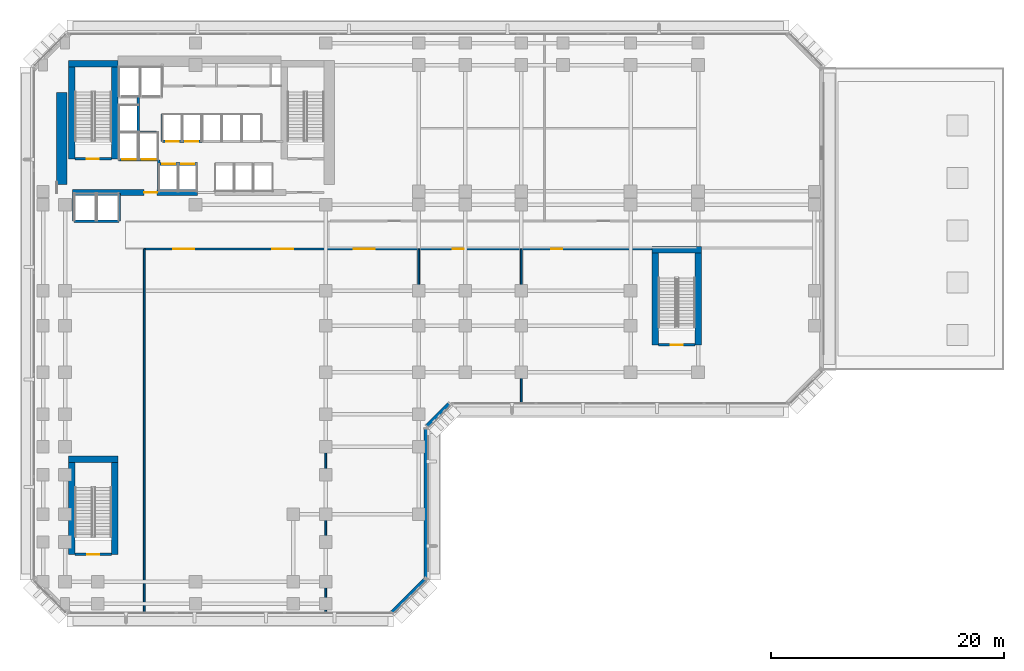
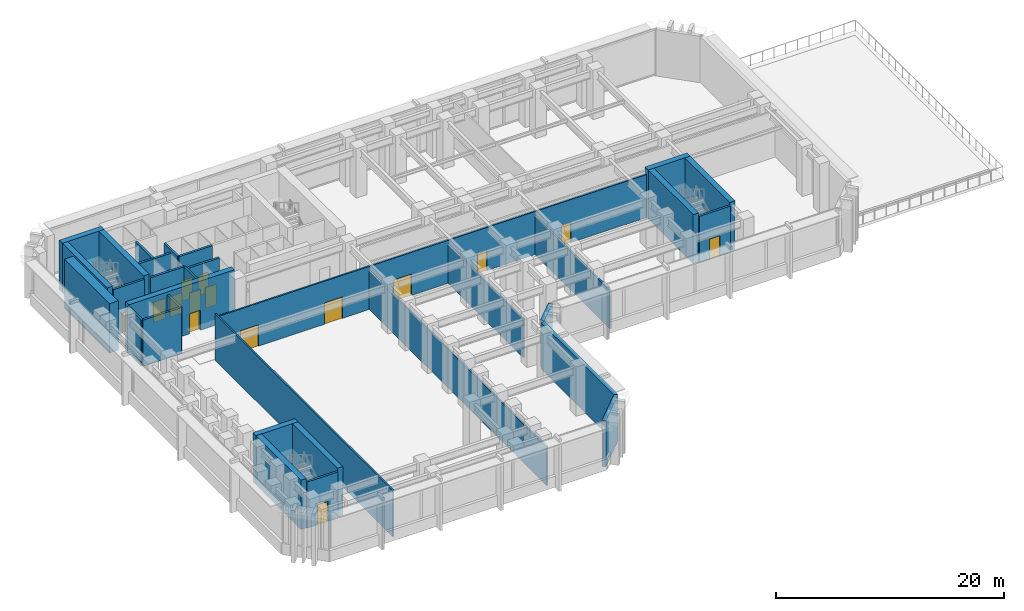
# One storey, part 7 of 16: 32 walls, 15 doors, 15 openings.
"""IFC4 building model written with IfcOpenShell, lengths in metres."""

from ifc_helpers import new_model, si_unit, direction, frame, frame_2d, origin, place, context, subcontext, project, spatial, rectangle, extrude, material, layer, layer_set, type_object, element, fill, save


model = new_model("IFC4")

# Units and contexts
model_context = context("Model", 3, precision=1e-05, world=origin(), true_north=direction((0.0, 1.0)))
body_context = subcontext(model_context, "Body", "Model", "MODEL_VIEW")
ifc_project = project(units=[si_unit("LENGTHUNIT", "METRE"), si_unit("AREAUNIT", "SQUARE_METRE"), si_unit("VOLUMEUNIT", "CUBIC_METRE"), si_unit("PLANEANGLEUNIT", "RADIAN"), si_unit("MASSUNIT", "GRAM", prefix="KILO")], contexts=[model_context])

# Site, building, storey
site_placement = place(None, origin())
site = spatial("IfcSite", under=ifc_project, at=site_placement, CompositionType="ELEMENT")
building_placement = place(site_placement, origin())
building = spatial("IfcBuilding", under=site, at=building_placement, Name="Kefirva Bronze Tower", CompositionType="ELEMENT")
storey_placement = place(building_placement, frame((0.0, 0.0, 11.219970703125)))
storey = spatial("IfcBuildingStorey", under=building, at=storey_placement, Name="L02", CompositionType="ELEMENT", Elevation=11.219970703125)

# Wall, opening, door
ifc_material_1 = material(Name="Gypsum fireboard shaftwall")
ifc_layer_1 = layer(ifc_material_1, 0.219970703125, Name="Gypsum fireboard shaftwall")
ifc_layer_set_1 = layer_set([ifc_layer_1], Name="Gypsum fireboard shaftwall")
wall_type_1 = type_object("IfcWallType", Name="Fire-Rated Shaft Enclosure Wall 220mm", PredefinedType="PARTITIONING", material=ifc_layer_set_1)
wall_1_placement = place(storey_placement, frame((1.64990234375, 37.14990234375, 0.0), z_axis=(0.0, 0.0, 1.0), x_axis=(1.0, 0.0, 0.0)))
wall_1 = element("IfcWall", 1, at=wall_1_placement, inside=storey, type_object=wall_type_1, Name="L02 Partition W-L02-ST1S", PredefinedType="PARTITIONING", context=body_context, shape_type="SweptSolid", body=[
    extrude(rectangle(XDim=3.150146484375, YDim=0.219970703125, at=frame_2d((1.5751953125, 0.0))), origin(), (0.0, 0.0, 1.0), 4.9599609375),
])
opening_1_placement = place(wall_1_placement, frame((2.050048828125, 0.0, 0.0), z_axis=(0.0, 0.0, 1.0), x_axis=(-1.0, 0.0, 0.0)))
opening_1 = element("IfcOpeningElement", 2, at=opening_1_placement, cuts=wall_1, Name="Opening L02-D001", PredefinedType="OPENING", context=body_context, shape_type="SweptSolid", body=[
    extrude(rectangle(XDim=1.050048828125, YDim=2.14990234375, at=frame_2d((0.52490234375, 1.074951171875))), frame((0.0, 0.1201171875, 0.0), z_axis=(0.0, -1.0, 0.0), x_axis=(1.0, 0.0, 0.0)), (0.0, 0.0, 1.0), 0.239990234375),
])
ifc_material_2 = material(Name="Painted galvanized steel", Category="steel")
door_type_1 = type_object("IfcDoorType", Name="Fire Stair Enclosure Door 1050x2150 FD90S", OperationType="NOTDEFINED", PredefinedType="DOOR", material=ifc_material_2)
door_1_placement = place(opening_1_placement, origin())
door_1 = element("IfcDoor", 3, at=door_1_placement, inside=storey, type_object=door_type_1, Name="Door L02-D001", OperationType="SINGLE_SWING_RIGHT", OverallHeight=2.14990234375, OverallWidth=1.050048828125, PredefinedType="DOOR", context=body_context, shape_type="SweptSolid", body=[
    extrude(rectangle(XDim=1.050048828125, YDim=2.14990234375, at=frame_2d((0.52490234375, 1.074951171875))), frame((0.0, 0.02490234375, 0.0), z_axis=(0.0, -1.0, 0.0), x_axis=(1.0, 0.0, 0.0)), (0.0, 0.0, 1.0), 0.050048828125),
])
fill(opening_1, door_1)

# Wall, openings, doors
wall_2_placement = place(storey_placement, frame((5.3798828125, 37.080078125, 0.0), z_axis=(0.0, 0.0, 1.0), x_axis=(1.0, 0.0, 0.0)))
wall_2 = element("IfcWall", 4, at=wall_2_placement, inside=storey, type_object=wall_type_1, Name="L02 Partition W-L02-FFS", PredefinedType="PARTITIONING", context=body_context, shape_type="SweptSolid", body=[
    extrude(rectangle(XDim=3.460205078125, YDim=0.219970703125, at=frame_2d((1.72998046875, 0.0))), origin(), (0.0, 0.0, 1.0), 4.9599609375),
])
opening_2_placement = place(wall_2_placement, frame((1.550048828125, 0.0, 0.0), z_axis=(0.0, 0.0, 1.0), x_axis=(-1.0, 0.0, 0.0)))
opening_2 = element("IfcOpeningElement", 5, at=opening_2_placement, cuts=wall_2, Name="Opening L02-LD-FF1", PredefinedType="OPENING", context=body_context, shape_type="SweptSolid", body=[
    extrude(rectangle(XDim=1.199951171875, YDim=2.199951171875, at=frame_2d((0.60009765625, 1.10009765625))), frame((0.0, 0.1201171875, 0.0), z_axis=(0.0, -1.0, 0.0), x_axis=(1.0, 0.0, 0.0)), (0.0, 0.0, 1.0), 0.239990234375),
])
opening_3_placement = place(wall_2_placement, frame((3.219970703125, 0.0, 0.0), z_axis=(0.0, 0.0, 1.0), x_axis=(-1.0, 0.0, 0.0)))
opening_3 = element("IfcOpeningElement", 6, at=opening_3_placement, cuts=wall_2, Name="Opening L02-LD-FF2", PredefinedType="OPENING", context=body_context, shape_type="SweptSolid", body=[
    extrude(rectangle(XDim=1.199951171875, YDim=2.199951171875, at=frame_2d((0.60009765625, 1.10009765625))), frame((0.0, 0.1201171875, 0.0), z_axis=(0.0, -1.0, 0.0), x_axis=(1.0, 0.0, 0.0)), (0.0, 0.0, 1.0), 0.239990234375),
])
ifc_material_3 = material(Name="Stainless steel 316", Category="steel")
door_type_2 = type_object("IfcDoorType", Name="Firefighting Lift Sliding Door 1200x2200", OperationType="SLIDING_TO_RIGHT", PredefinedType="DOOR", material=ifc_material_3)
door_2_placement = place(opening_2_placement, origin())
door_2 = element("IfcDoor", 7, at=door_2_placement, inside=storey, type_object=door_type_2, Name="Door L02-LD-FF1", OperationType="SLIDING_TO_RIGHT", OverallHeight=2.199951171875, OverallWidth=1.199951171875, PredefinedType="DOOR", context=body_context, shape_type="SweptSolid", body=[
    extrude(rectangle(XDim=1.199951171875, YDim=2.199951171875, at=frame_2d((0.60009765625, 1.10009765625))), frame((0.0, 0.02490234375, 0.0), z_axis=(0.0, -1.0, 0.0), x_axis=(1.0, 0.0, 0.0)), (0.0, 0.0, 1.0), 0.050048828125),
])
fill(opening_2, door_2)
door_3_placement = place(opening_3_placement, origin())
door_3 = element("IfcDoor", 8, at=door_3_placement, inside=storey, type_object=door_type_2, Name="Door L02-LD-FF2", OperationType="SLIDING_TO_RIGHT", OverallHeight=2.199951171875, OverallWidth=1.199951171875, PredefinedType="DOOR", context=body_context, shape_type="SweptSolid", body=[
    extrude(rectangle(XDim=1.199951171875, YDim=2.199951171875, at=frame_2d((0.60009765625, 1.10009765625))), frame((0.0, 0.02490234375, 0.0), z_axis=(0.0, -1.0, 0.0), x_axis=(1.0, 0.0, 0.0)), (0.0, 0.0, 1.0), 0.050048828125),
])
fill(opening_3, door_3)

# Walls
wall_3_placement = place(storey_placement, frame((5.3798828125, 39.449951171875, 0.0), z_axis=(0.0, 0.0, 1.0), x_axis=(1.0, 0.0, 0.0)))
element("IfcWall", 9, at=wall_3_placement, inside=storey, type_object=wall_type_1, Name="L02 Partition W-L02-FFN", PredefinedType="PARTITIONING", context=body_context, shape_type="SweptSolid", body=[
    extrude(rectangle(XDim=3.460205078125, YDim=0.219970703125, at=frame_2d((1.72998046875, 0.0))), origin(), (0.0, 0.0, 1.0), 4.9599609375),
])
wall_4_placement = place(storey_placement, frame((7.10009765625, 39.52001953125, 0.0), z_axis=(0.0, 0.0, 1.0), x_axis=(0.0, 1.0, 0.0)))
element("IfcWall", 10, at=wall_4_placement, inside=storey, type_object=wall_type_1, Name="L02 Partition W-L02-HP3E", PredefinedType="PARTITIONING", context=body_context, shape_type="SweptSolid", body=[
    extrude(rectangle(XDim=2.929931640625, YDim=0.219970703125, at=frame_2d((1.46484375, 0.0))), origin(), (0.0, 0.0, 1.0), 4.9599609375),
])
wall_5_placement = place(storey_placement, frame((1.550048828125, 31.800048828125, 0.0), z_axis=(0.0, 0.0, 1.0), x_axis=(1.0, 0.0, 0.0)))
element("IfcWall", 11, at=wall_5_placement, inside=storey, type_object=wall_type_1, Name="L02 Partition W-L02-OBS", PredefinedType="PARTITIONING", context=body_context, shape_type="SweptSolid", body=[
    extrude(rectangle(XDim=3.89990234375, YDim=0.219970703125, at=frame_2d((1.949951171875, 0.0))), origin(), (0.0, 0.0, 1.0), 4.9599609375),
])
for number, where, z_axis, x_axis, name in (
    (12, (1.550048828125, 31.800048828125, 0.0), (0.0, 0.0, 1.0), (0.0, 1.0, 0.0), "L02 Partition W-L02-OBW"),
    (13, (5.449951171875, 31.800048828125, 0.0), (0.0, 0.0, 1.0), (0.0, 1.0, 0.0), "L02 Partition W-L02-OBE"),
):
    element("IfcWall", number, at=place(storey_placement, frame(where, z_axis=z_axis, x_axis=x_axis)), inside=storey, type_object=wall_type_1, Name=name, PredefinedType="PARTITIONING", context=body_context, shape_type="SweptSolid", body=[
        extrude(rectangle(XDim=2.3798828125, YDim=0.219970703125, at=frame_2d((1.18994140625, 0.0))), origin(), (0.0, 0.0, 1.0), 4.9599609375),
    ])
wall_6_placement = place(storey_placement, frame((9.159912109375, 38.64990234375, 0.0), z_axis=(0.0, 0.0, 1.0), x_axis=(0.0, 1.0, 0.0)))
element("IfcWall", 14, at=wall_6_placement, inside=storey, type_object=wall_type_1, Name="L02 Partition W-L02-LP3W", PredefinedType="PARTITIONING", context=body_context, shape_type="SweptSolid", body=[
    extrude(rectangle(XDim=2.35009765625, YDim=0.199951171875, at=frame_2d((1.175048828125, 0.0))), origin(), (0.0, 0.0, 1.0), 4.9599609375),
])

# Wall, openings, doors
wall_7_placement = place(storey_placement, frame((8.89990234375, 36.699951171875, 0.0), z_axis=(0.0, 0.0, 1.0), x_axis=(1.0, 0.0, 0.0)))
wall_7 = element("IfcWall", 15, at=wall_7_placement, inside=storey, type_object=wall_type_1, Name="L02 Partition W-L02-LPS", PredefinedType="PARTITIONING", context=body_context, shape_type="SweptSolid", body=[
    extrude(rectangle(XDim=3.260009765625, YDim=0.219970703125, at=frame_2d((1.6298828125, 0.0))), origin(), (0.0, 0.0, 1.0), 4.9599609375),
])
opening_4_placement = place(wall_7_placement, frame((0.260009765625, 0.0, 0.0)))
opening_4 = element("IfcOpeningElement", 16, at=opening_4_placement, cuts=wall_7, Name="Opening L02-LD-LP1", PredefinedType="OPENING", context=body_context, shape_type="SweptSolid", body=[
    extrude(rectangle(XDim=1.10009765625, YDim=2.199951171875, at=frame_2d((0.550048828125, 1.10009765625))), frame((0.0, 0.1201171875, 0.0), z_axis=(0.0, -1.0, 0.0), x_axis=(1.0, 0.0, 0.0)), (0.0, 0.0, 1.0), 0.239990234375),
])
opening_5_placement = place(wall_7_placement, frame((1.8798828125, 0.0, 0.0)))
opening_5 = element("IfcOpeningElement", 17, at=opening_5_placement, cuts=wall_7, Name="Opening L02-LD-LP2", PredefinedType="OPENING", context=body_context, shape_type="SweptSolid", body=[
    extrude(rectangle(XDim=1.10009765625, YDim=2.199951171875, at=frame_2d((0.550048828125, 1.10009765625))), frame((0.0, 0.1201171875, 0.0), z_axis=(0.0, -1.0, 0.0), x_axis=(1.0, 0.0, 0.0)), (0.0, 0.0, 1.0), 0.239990234375),
])
door_type_3 = type_object("IfcDoorType", Name="Passenger Lift Sliding Landing Door 1100x2200", OperationType="SLIDING_TO_LEFT", PredefinedType="DOOR", material=ifc_material_3)
door_4_placement = place(opening_4_placement, origin())
door_4 = element("IfcDoor", 18, at=door_4_placement, inside=storey, type_object=door_type_3, Name="Door L02-LD-LP1", OperationType="SLIDING_TO_LEFT", OverallHeight=2.199951171875, OverallWidth=1.10009765625, PredefinedType="DOOR", context=body_context, shape_type="SweptSolid", body=[
    extrude(rectangle(XDim=1.10009765625, YDim=2.199951171875, at=frame_2d((0.550048828125, 1.10009765625))), frame((0.0, 0.02490234375, 0.0), z_axis=(0.0, -1.0, 0.0), x_axis=(1.0, 0.0, 0.0)), (0.0, 0.0, 1.0), 0.050048828125),
])
fill(opening_4, door_4)
door_5_placement = place(opening_5_placement, origin())
door_5 = element("IfcDoor", 19, at=door_5_placement, inside=storey, type_object=door_type_3, Name="Door L02-LD-LP2", OperationType="SLIDING_TO_LEFT", OverallHeight=2.199951171875, OverallWidth=1.10009765625, PredefinedType="DOOR", context=body_context, shape_type="SweptSolid", body=[
    extrude(rectangle(XDim=1.10009765625, YDim=2.199951171875, at=frame_2d((0.550048828125, 1.10009765625))), frame((0.0, 0.02490234375, 0.0), z_axis=(0.0, -1.0, 0.0), x_axis=(1.0, 0.0, 0.0)), (0.0, 0.0, 1.0), 0.050048828125),
])
fill(opening_5, door_5)

wall_8_placement = place(storey_placement, frame((9.179931640625, 38.64990234375, 0.0), z_axis=(0.0, 0.0, 1.0), x_axis=(1.0, 0.0, 0.0)))
wall_8 = element("IfcWall", 20, at=wall_8_placement, inside=storey, type_object=wall_type_1, Name="L02 Partition W-L02-LPN", PredefinedType="PARTITIONING", context=body_context, shape_type="SweptSolid", body=[
    extrude(rectangle(XDim=3.380126953125, YDim=0.219970703125, at=frame_2d((1.68994140625, 0.0))), origin(), (0.0, 0.0, 1.0), 4.9599609375),
])
opening_6_placement = place(wall_8_placement, frame((0.300048828125, 0.0, 0.0)))
opening_6 = element("IfcOpeningElement", 21, at=opening_6_placement, cuts=wall_8, Name="Opening L02-LD-LP3", PredefinedType="OPENING", context=body_context, shape_type="SweptSolid", body=[
    extrude(rectangle(XDim=1.10009765625, YDim=2.199951171875, at=frame_2d((0.550048828125, 1.10009765625))), frame((0.0, 0.1201171875, 0.0), z_axis=(0.0, -1.0, 0.0), x_axis=(1.0, 0.0, 0.0)), (0.0, 0.0, 1.0), 0.239990234375),
])
opening_7_placement = place(wall_8_placement, frame((1.949951171875, 0.0, 0.0)))
opening_7 = element("IfcOpeningElement", 22, at=opening_7_placement, cuts=wall_8, Name="Opening L02-LD-LP4", PredefinedType="OPENING", context=body_context, shape_type="SweptSolid", body=[
    extrude(rectangle(XDim=1.10009765625, YDim=2.199951171875, at=frame_2d((0.550048828125, 1.10009765625))), frame((0.0, 0.1201171875, 0.0), z_axis=(0.0, -1.0, 0.0), x_axis=(1.0, 0.0, 0.0)), (0.0, 0.0, 1.0), 0.239990234375),
])
door_6_placement = place(opening_6_placement, origin())
door_6 = element("IfcDoor", 23, at=door_6_placement, inside=storey, type_object=door_type_3, Name="Door L02-LD-LP3", OperationType="SLIDING_TO_LEFT", OverallHeight=2.199951171875, OverallWidth=1.10009765625, PredefinedType="DOOR", context=body_context, shape_type="SweptSolid", body=[
    extrude(rectangle(XDim=1.10009765625, YDim=2.199951171875, at=frame_2d((0.550048828125, 1.10009765625))), frame((0.0, 0.02490234375, 0.0), z_axis=(0.0, -1.0, 0.0), x_axis=(1.0, 0.0, 0.0)), (0.0, 0.0, 1.0), 0.050048828125),
])
fill(opening_6, door_6)
door_7_placement = place(opening_7_placement, origin())
door_7 = element("IfcDoor", 24, at=door_7_placement, inside=storey, type_object=door_type_3, Name="Door L02-LD-LP4", OperationType="SLIDING_TO_LEFT", OverallHeight=2.199951171875, OverallWidth=1.10009765625, PredefinedType="DOOR", context=body_context, shape_type="SweptSolid", body=[
    extrude(rectangle(XDim=1.10009765625, YDim=2.199951171875, at=frame_2d((0.550048828125, 1.10009765625))), frame((0.0, 0.02490234375, 0.0), z_axis=(0.0, -1.0, 0.0), x_axis=(1.0, 0.0, 0.0)), (0.0, 0.0, 1.0), 0.050048828125),
])
fill(opening_7, door_7)

# Wall, opening, door
wall_9_placement = place(storey_placement, frame((1.64990234375, 3.14990234375, 0.0), z_axis=(0.0, 0.0, 1.0), x_axis=(1.0, 0.0, 0.0)))
wall_9 = element("IfcWall", 25, at=wall_9_placement, inside=storey, type_object=wall_type_1, Name="L02 Partition W-L02-ST3S", PredefinedType="PARTITIONING", context=body_context, shape_type="SweptSolid", body=[
    extrude(rectangle(XDim=3.150146484375, YDim=0.219970703125, at=frame_2d((1.5751953125, 0.0))), origin(), (0.0, 0.0, 1.0), 4.9599609375),
])
opening_8_placement = place(wall_9_placement, frame((2.10009765625, 0.0, 0.0), z_axis=(0.0, 0.0, 1.0), x_axis=(-1.0, 0.0, 0.0)))
opening_8 = element("IfcOpeningElement", 26, at=opening_8_placement, cuts=wall_9, Name="Opening L02-D-ST3", PredefinedType="OPENING", context=body_context, shape_type="SweptSolid", body=[
    extrude(rectangle(XDim=1.050048828125, YDim=2.14990234375, at=frame_2d((0.52490234375, 1.074951171875))), frame((0.0, 0.1201171875, 0.0), z_axis=(0.0, -1.0, 0.0), x_axis=(1.0, 0.0, 0.0)), (0.0, 0.0, 1.0), 0.239990234375),
])
door_8_placement = place(opening_8_placement, origin())
door_8 = element("IfcDoor", 27, at=door_8_placement, inside=storey, type_object=door_type_1, Name="Door L02-D-ST3", OperationType="SINGLE_SWING_LEFT", OverallHeight=2.14990234375, OverallWidth=1.050048828125, PredefinedType="DOOR", context=body_context, shape_type="SweptSolid", body=[
    extrude(rectangle(XDim=1.050048828125, YDim=2.14990234375, at=frame_2d((0.52490234375, 1.074951171875))), frame((0.0, 0.02490234375, 0.0), z_axis=(0.0, -1.0, 0.0), x_axis=(1.0, 0.0, 0.0)), (0.0, 0.0, 1.0), 0.050048828125),
])
fill(opening_8, door_8)

wall_10_placement = place(storey_placement, frame((51.800048828125, 21.14990234375, 0.0), z_axis=(0.0, 0.0, 1.0), x_axis=(1.0, 0.0, 0.0)))
wall_10 = element("IfcWall", 28, at=wall_10_placement, inside=storey, type_object=wall_type_1, Name="L02 Partition W-L02-ST4S", PredefinedType="PARTITIONING", context=body_context, shape_type="SweptSolid", body=[
    extrude(rectangle(XDim=3.14990234375, YDim=0.219970703125, at=frame_2d((1.574951171875, 0.0))), origin(), (0.0, 0.0, 1.0), 4.9599609375),
])
opening_9_placement = place(wall_10_placement, frame((2.10009765625, 0.0, 0.0), z_axis=(0.0, 0.0, 1.0), x_axis=(-1.0, 0.0, 0.0)))
opening_9 = element("IfcOpeningElement", 29, at=opening_9_placement, cuts=wall_10, Name="Opening L02-D-ST4", PredefinedType="OPENING", context=body_context, shape_type="SweptSolid", body=[
    extrude(rectangle(XDim=1.050048828125, YDim=2.14990234375, at=frame_2d((0.52490234375, 1.074951171875))), frame((0.0, 0.1201171875, 0.0), z_axis=(0.0, -1.0, 0.0), x_axis=(1.0, 0.0, 0.0)), (0.0, 0.0, 1.0), 0.239990234375),
])
door_9_placement = place(opening_9_placement, origin())
door_9 = element("IfcDoor", 30, at=door_9_placement, inside=storey, type_object=door_type_1, Name="Door L02-D-ST4", OperationType="SINGLE_SWING_RIGHT", OverallHeight=2.14990234375, OverallWidth=1.050048828125, PredefinedType="DOOR", context=body_context, shape_type="SweptSolid", body=[
    extrude(rectangle(XDim=1.050048828125, YDim=2.14990234375, at=frame_2d((0.52490234375, 1.074951171875))), frame((0.0, 0.02490234375, 0.0), z_axis=(0.0, -1.0, 0.0), x_axis=(1.0, 0.0, 0.0)), (0.0, 0.0, 1.0), 0.050048828125),
])
fill(opening_9, door_9)

# Walls
ifc_material_4 = material(Name="Gypsum fireboard barrier")
ifc_layer_2 = layer(ifc_material_4, 0.199951171875, Name="Gypsum fireboard barrier")
ifc_layer_set_2 = layer_set([ifc_layer_2], Name="Gypsum fireboard barrier")
wall_type_2 = type_object("IfcWallType", Name="Firefighting Lobby Barrier Wall 200mm", PredefinedType="PARTITIONING", material=ifc_layer_set_2)
wall_11_placement = place(storey_placement, frame((8.860107421875, 34.550048828125, 0.0), z_axis=(0.0, 0.0, 1.0), x_axis=(0.0, 1.0, 0.0)))
element("IfcWall", 31, at=wall_11_placement, inside=storey, type_object=wall_type_2, Name="L02 Partition W-L02-FFLE", PredefinedType="PARTITIONING", context=body_context, shape_type="SweptSolid", body=[
    extrude(rectangle(XDim=2.5, YDim=0.199951171875, at=frame_2d((1.25, 0.0))), origin(), (0.0, 0.0, 1.0), 4.9599609375),
])
ifc_material_5 = material(Name="Precast concrete C40/50", Category="concrete")
ifc_layer_3 = layer(ifc_material_5, 0.360107421875, Name="Precast concrete C40/50")
ifc_layer_set_3 = layer_set([ifc_layer_3], Name="Precast concrete C40/50")
wall_type_3 = type_object("IfcWallType", Name="Precast Podium Facade Wall 360mm", PredefinedType="SOLIDWALL", material=ifc_layer_set_3)
wall_12_placement = place(storey_placement, frame((28.91162109375, -1.833740234375, 0.0), z_axis=(0.0, 0.0, 1.0), x_axis=(0.707106781187, 0.707106781187, 0.0)))
element("IfcWall", 32, at=wall_12_placement, inside=storey, type_object=wall_type_3, Name="L02 Exterior Facade Wall 1", PredefinedType="SOLIDWALL", context=body_context, shape_type="SweptSolid", body=[
    extrude(rectangle(XDim=4.132568359375, YDim=0.360107421875, at=frame_2d((2.06640625, 0.0))), origin(), (0.0, 0.0, 1.0), 4.9599609375),
])
wall_13_placement = place(storey_placement, frame((31.820068359375, 1.054931640625, 0.0), z_axis=(0.0, 0.0, 1.0), x_axis=(0.0, 1.0, 0.0)))
element("IfcWall", 33, at=wall_13_placement, inside=storey, type_object=wall_type_3, Name="L02 Exterior Facade Wall 2", PredefinedType="SOLIDWALL", context=body_context, shape_type="SweptSolid", body=[
    extrude(rectangle(XDim=12.89013671875, YDim=0.360107421875, at=frame_2d((6.445068359375, 0.0))), origin(), (0.0, 0.0, 1.0), 4.9599609375),
])
wall_14_placement = place(storey_placement, frame((31.91162109375, 14.166259765625, 0.0), z_axis=(0.0, 0.0, 1.0), x_axis=(0.707106781187, 0.707106781187, 0.0)))
element("IfcWall", 34, at=wall_14_placement, inside=storey, type_object=wall_type_3, Name="L02 Exterior Facade Wall 3", PredefinedType="SOLIDWALL", context=body_context, shape_type="SweptSolid", body=[
    extrude(rectangle(XDim=2.71826171875, YDim=0.360107421875, at=frame_2d((1.359130859375, 0.0))), origin(), (0.0, 0.0, 1.0), 4.9599609375),
])
ifc_material_6 = material(Name="Gypsum acoustic partition")
ifc_layer_4 = layer(ifc_material_6, 0.159912109375, Name="Gypsum acoustic partition")
ifc_layer_set_4 = layer_set([ifc_layer_4], Name="Gypsum acoustic partition")
wall_type_4 = type_object("IfcWallType", Name="Protected Corridor Partition 160mm", PredefinedType="PARTITIONING", material=ifc_layer_set_4)
wall_15_placement = place(storey_placement, frame((7.60009765625, -1.81005859375, 0.0), z_axis=(0.0, 0.0, 1.0), x_axis=(0.0, 1.0, 0.0)))
element("IfcWall", 35, at=wall_15_placement, inside=storey, type_object=wall_type_4, Name="L02 Partition W-L02-SWCE", PredefinedType="PARTITIONING", context=body_context, shape_type="SweptSolid", body=[
    extrude(rectangle(XDim=31.2099609375, YDim=0.159912109375, at=frame_2d((15.60498046875, 0.0))), origin(), (0.0, 0.0, 1.0), 4.9599609375),
])

# Wall, openings, doors
wall_16_placement = place(storey_placement, frame((7.60009765625, 29.39990234375, 0.0), z_axis=(0.0, 0.0, 1.0), x_axis=(1.0, 0.0, 0.0)))
wall_16 = element("IfcWall", 36, at=wall_16_placement, inside=storey, type_object=wall_type_4, Name="L02 Partition W-L02-AUDN", PredefinedType="PARTITIONING", context=body_context, shape_type="SweptSolid", body=[
    extrude(rectangle(XDim=43.75, YDim=0.159912109375, at=frame_2d((21.875, 0.0))), origin(), (0.0, 0.0, 1.0), 4.614990234375),
])
opening_10_placement = place(wall_16_placement, frame((2.5, 0.0, 0.0)))
opening_10 = element("IfcOpeningElement", 37, at=opening_10_placement, cuts=wall_16, Name="Opening L02-D-AUD1", PredefinedType="OPENING", context=body_context, shape_type="SweptSolid", body=[
    extrude(rectangle(XDim=1.800048828125, YDim=2.300048828125, at=frame_2d((0.89990234375, 1.14990234375))), frame((0.0, 0.08984375, 0.0), z_axis=(0.0, -1.0, 0.0), x_axis=(1.0, 0.0, 0.0)), (0.0, 0.0, 1.0), 0.179931640625),
])
opening_11_placement = place(wall_16_placement, frame((11.0, 0.0, 0.0)))
opening_11 = element("IfcOpeningElement", 38, at=opening_11_placement, cuts=wall_16, Name="Opening L02-D-AUD2", PredefinedType="OPENING", context=body_context, shape_type="SweptSolid", body=[
    extrude(rectangle(XDim=1.800048828125, YDim=2.300048828125, at=frame_2d((0.89990234375, 1.14990234375))), frame((0.0, 0.08984375, 0.0), z_axis=(0.0, -1.0, 0.0), x_axis=(1.0, 0.0, 0.0)), (0.0, 0.0, 1.0), 0.179931640625),
])
opening_12_placement = place(wall_16_placement, frame((18.0, 0.0, 0.0)))
opening_12 = element("IfcOpeningElement", 39, at=opening_12_placement, cuts=wall_16, Name="Opening L02-D-FOY", PredefinedType="OPENING", context=body_context, shape_type="SweptSolid", body=[
    extrude(rectangle(XDim=1.800048828125, YDim=2.300048828125, at=frame_2d((0.89990234375, 1.14990234375))), frame((0.0, 0.08984375, 0.0), z_axis=(0.0, -1.0, 0.0), x_axis=(1.0, 0.0, 0.0)), (0.0, 0.0, 1.0), 0.179931640625),
])
opening_13_placement = place(wall_16_placement, frame((26.5, 0.0, 0.0)))
opening_13 = element("IfcOpeningElement", 40, at=opening_13_placement, cuts=wall_16, Name="Opening L02-D-EVOP", PredefinedType="OPENING", context=body_context, shape_type="SweptSolid", body=[
    extrude(rectangle(XDim=0.949951171875, YDim=2.14990234375, at=frame_2d((0.47509765625, 1.074951171875))), frame((0.0, 0.08984375, 0.0), z_axis=(0.0, -1.0, 0.0), x_axis=(1.0, 0.0, 0.0)), (0.0, 0.0, 1.0), 0.179931640625),
])
opening_14_placement = place(wall_16_placement, frame((35.0, 0.0, 0.0)))
opening_14 = element("IfcOpeningElement", 41, at=opening_14_placement, cuts=wall_16, Name="Opening L02-D-EVST", PredefinedType="OPENING", context=body_context, shape_type="SweptSolid", body=[
    extrude(rectangle(XDim=0.949951171875, YDim=2.14990234375, at=frame_2d((0.47509765625, 1.074951171875))), frame((0.0, 0.08984375, 0.0), z_axis=(0.0, -1.0, 0.0), x_axis=(1.0, 0.0, 0.0)), (0.0, 0.0, 1.0), 0.179931640625),
])
ifc_material_7 = material(Name="Acoustic hardwood oak", Category="wood")
door_type_4 = type_object("IfcDoorType", Name="Auditorium & Dining Double Door 1800x2300", OperationType="DOUBLE_DOOR_SINGLE_SWING", PredefinedType="DOOR", material=ifc_material_7)
door_10_placement = place(opening_10_placement, origin())
door_10 = element("IfcDoor", 42, at=door_10_placement, inside=storey, type_object=door_type_4, Name="Door L02-D-AUD1", OperationType="SINGLE_SWING_LEFT", OverallHeight=2.300048828125, OverallWidth=1.800048828125, PredefinedType="DOOR", context=body_context, shape_type="SweptSolid", body=[
    extrude(rectangle(XDim=1.800048828125, YDim=2.300048828125, at=frame_2d((0.89990234375, 1.14990234375))), frame((0.0, 0.02490234375, 0.0), z_axis=(0.0, -1.0, 0.0), x_axis=(1.0, 0.0, 0.0)), (0.0, 0.0, 1.0), 0.050048828125),
])
fill(opening_10, door_10)
door_11_placement = place(opening_11_placement, origin())
door_11 = element("IfcDoor", 43, at=door_11_placement, inside=storey, type_object=door_type_4, Name="Door L02-D-AUD2", OperationType="SINGLE_SWING_RIGHT", OverallHeight=2.300048828125, OverallWidth=1.800048828125, PredefinedType="DOOR", context=body_context, shape_type="SweptSolid", body=[
    extrude(rectangle(XDim=1.800048828125, YDim=2.300048828125, at=frame_2d((0.89990234375, 1.14990234375))), frame((0.0, 0.02490234375, 0.0), z_axis=(0.0, -1.0, 0.0), x_axis=(1.0, 0.0, 0.0)), (0.0, 0.0, 1.0), 0.050048828125),
])
fill(opening_11, door_11)
door_12_placement = place(opening_12_placement, origin())
door_12 = element("IfcDoor", 44, at=door_12_placement, inside=storey, type_object=door_type_4, Name="Door L02-D-FOY", OperationType="SINGLE_SWING_LEFT", OverallHeight=2.300048828125, OverallWidth=1.800048828125, PredefinedType="DOOR", context=body_context, shape_type="SweptSolid", body=[
    extrude(rectangle(XDim=1.800048828125, YDim=2.300048828125, at=frame_2d((0.89990234375, 1.14990234375))), frame((0.0, 0.02490234375, 0.0), z_axis=(0.0, -1.0, 0.0), x_axis=(1.0, 0.0, 0.0)), (0.0, 0.0, 1.0), 0.050048828125),
])
fill(opening_12, door_12)
door_type_5 = type_object("IfcDoorType", Name="Office & Meeting Room Door 950x2150", OperationType="NOTDEFINED", PredefinedType="DOOR", material=ifc_material_7)
door_13_placement = place(opening_13_placement, origin())
door_13 = element("IfcDoor", 45, at=door_13_placement, inside=storey, type_object=door_type_5, Name="Door L02-D-EVOP", OperationType="SINGLE_SWING_RIGHT", OverallHeight=2.14990234375, OverallWidth=0.949951171875, PredefinedType="DOOR", context=body_context, shape_type="SweptSolid", body=[
    extrude(rectangle(XDim=0.949951171875, YDim=2.14990234375, at=frame_2d((0.47509765625, 1.074951171875))), frame((0.0, 0.02490234375, 0.0), z_axis=(0.0, -1.0, 0.0), x_axis=(1.0, 0.0, 0.0)), (0.0, 0.0, 1.0), 0.050048828125),
])
fill(opening_13, door_13)
door_14_placement = place(opening_14_placement, origin())
door_14 = element("IfcDoor", 46, at=door_14_placement, inside=storey, type_object=door_type_5, Name="Door L02-D-EVST", OperationType="SINGLE_SWING_LEFT", OverallHeight=2.14990234375, OverallWidth=0.949951171875, PredefinedType="DOOR", context=body_context, shape_type="SweptSolid", body=[
    extrude(rectangle(XDim=0.949951171875, YDim=2.14990234375, at=frame_2d((0.47509765625, 1.074951171875))), frame((0.0, 0.02490234375, 0.0), z_axis=(0.0, -1.0, 0.0), x_axis=(1.0, 0.0, 0.0)), (0.0, 0.0, 1.0), 0.050048828125),
])
fill(opening_14, door_14)

# Walls
wall_17_placement = place(storey_placement, frame((23.199951171875, -1.81005859375, 0.0), z_axis=(0.0, 0.0, 1.0), x_axis=(0.0, 1.0, 0.0)))
element("IfcWall", 47, at=wall_17_placement, inside=storey, type_object=wall_type_4, Name="L02 Partition W-L02-AUDE", PredefinedType="PARTITIONING", context=body_context, shape_type="SweptSolid", body=[
    extrude(rectangle(XDim=31.2099609375, YDim=0.159912109375, at=frame_2d((15.60498046875, 0.0))), origin(), (0.0, 0.0, 1.0), 4.14501953125),
])
for number, where, z_axis, x_axis, name in (
    (48, (31.199951171875, 16.18994140625, 0.0), (0.0, 0.0, 1.0), (0.0, 1.0, 0.0), "L02 Partition W-L02-FOYE"),
    (49, (40.0, 16.18994140625, 0.0), (0.0, 0.0, 1.0), (0.0, 1.0, 0.0), "L02 Partition W-L02-EVOE"),
):
    element("IfcWall", number, at=place(storey_placement, frame(where, z_axis=z_axis, x_axis=x_axis)), inside=storey, type_object=wall_type_4, Name=name, PredefinedType="PARTITIONING", context=body_context, shape_type="SweptSolid", body=[
        extrude(rectangle(XDim=13.2099609375, YDim=0.159912109375, at=frame_2d((6.60498046875, 0.0))), origin(), (0.0, 0.0, 1.0), 4.14501953125),
    ])
ifc_material_8 = material(Name="Concrete C50/60", Category="concrete")
ifc_layer_5 = layer(ifc_material_8, 0.550048828125, Name="Concrete C50/60")
ifc_layer_set_5 = layer_set([ifc_layer_5], Name="Concrete C50/60")
wall_type_5 = type_object("IfcWallType", Name="RC Rear Core Interior Wall 550mm", PredefinedType="SHEAR", material=ifc_layer_set_5)
for number, where, z_axis, x_axis, name in (
    (50, (1.3701171875, 37.14990234375, 0.0), (0.0, 0.0, 1.0), (0.0, 1.0, 0.0), "L02 Stair 1 West Shear Wall"),
    (51, (5.070068359375, 37.14990234375, 0.0), (0.0, 0.0, 1.0), (0.0, 1.0, 0.0), "L02 Stair 1 East Shear Wall"),
):
    element("IfcWall", number, at=place(storey_placement, frame(where, z_axis=z_axis, x_axis=x_axis)), inside=storey, type_object=wall_type_5, Name=name, PredefinedType="SHEAR", context=body_context, shape_type="SweptSolid", body=[
        extrude(rectangle(XDim=7.89013671875, YDim=0.550048828125, at=frame_2d((3.945068359375, 0.0))), origin(), (0.0, 0.0, 1.0), 5.280029296875),
    ])
wall_18_placement = place(storey_placement, frame((1.10009765625, 45.320068359375, 0.0), z_axis=(0.0, 0.0, 1.0), x_axis=(1.0, 0.0, 0.0)))
element("IfcWall", 52, at=wall_18_placement, inside=storey, type_object=wall_type_5, Name="L02 Stair 1 North Shear Wall", PredefinedType="SHEAR", context=body_context, shape_type="SweptSolid", body=[
    extrude(rectangle(XDim=4.239990234375, YDim=0.550048828125, at=frame_2d((2.1201171875, 0.0))), origin(), (0.0, 0.0, 1.0), 5.280029296875),
])
for number, where, z_axis, x_axis, name in (
    (53, (1.3701171875, 3.14990234375, 0.0), (0.0, 0.0, 1.0), (0.0, 1.0, 0.0), "L02 Stair 3 West Shear Wall"),
    (54, (5.070068359375, 3.14990234375, 0.0), (0.0, 0.0, 1.0), (0.0, 1.0, 0.0), "L02 Stair 3 East Shear Wall"),
):
    element("IfcWall", number, at=place(storey_placement, frame(where, z_axis=z_axis, x_axis=x_axis)), inside=storey, type_object=wall_type_5, Name=name, PredefinedType="SHEAR", context=body_context, shape_type="SweptSolid", body=[
        extrude(rectangle(XDim=7.89013671875, YDim=0.550048828125, at=frame_2d((3.945068359375, 0.0))), origin(), (0.0, 0.0, 1.0), 5.280029296875),
    ])
wall_19_placement = place(storey_placement, frame((1.10009765625, 11.320068359375, 0.0), z_axis=(0.0, 0.0, 1.0), x_axis=(1.0, 0.0, 0.0)))
element("IfcWall", 55, at=wall_19_placement, inside=storey, type_object=wall_type_5, Name="L02 Stair 3 North Shear Wall", PredefinedType="SHEAR", context=body_context, shape_type="SweptSolid", body=[
    extrude(rectangle(XDim=4.239990234375, YDim=0.550048828125, at=frame_2d((2.1201171875, 0.0))), origin(), (0.0, 0.0, 1.0), 5.280029296875),
])
for number, where, z_axis, x_axis, name in (
    (56, (51.52001953125, 21.14990234375, 0.0), (0.0, 0.0, 1.0), (0.0, 1.0, 0.0), "L02 Stair 4 West Shear Wall"),
    (57, (55.219970703125, 21.14990234375, 0.0), (0.0, 0.0, 1.0), (0.0, 1.0, 0.0), "L02 Stair 4 East Shear Wall"),
):
    element("IfcWall", number, at=place(storey_placement, frame(where, z_axis=z_axis, x_axis=x_axis)), inside=storey, type_object=wall_type_5, Name=name, PredefinedType="SHEAR", context=body_context, shape_type="SweptSolid", body=[
        extrude(rectangle(XDim=7.89013671875, YDim=0.550048828125, at=frame_2d((3.945068359375, 0.0))), origin(), (0.0, 0.0, 1.0), 5.280029296875),
    ])
wall_20_placement = place(storey_placement, frame((51.25, 29.320068359375, 0.0), z_axis=(0.0, 0.0, 1.0), x_axis=(1.0, 0.0, 0.0)))
element("IfcWall", 58, at=wall_20_placement, inside=storey, type_object=wall_type_5, Name="L02 Stair 4 North Shear Wall", PredefinedType="SHEAR", context=body_context, shape_type="SweptSolid", body=[
    extrude(rectangle(XDim=4.239990234375, YDim=0.550048828125, at=frame_2d((2.1201171875, 0.0))), origin(), (0.0, 0.0, 1.0), 5.280029296875),
])
ifc_material_9 = material(Name="Concrete C60/75", Category="concrete")
ifc_layer_6 = layer(ifc_material_9, 0.89990234375, Name="Concrete C60/75")
ifc_layer_set_6 = layer_set([ifc_layer_6], Name="Concrete C60/75")
wall_type_6 = type_object("IfcWallType", Name="RC Rear Core Interior Wall 900mm", PredefinedType="SHEAR", material=ifc_layer_set_6)
wall_21_placement = place(storey_placement, frame((0.5, 34.949951171875, 0.0), z_axis=(0.0, 0.0, 1.0), x_axis=(0.0, 1.0, 0.0)))
element("IfcWall", 59, at=wall_21_placement, inside=storey, type_object=wall_type_6, Name="L02 Rear Core West Shear Wall", PredefinedType="SHEAR", context=body_context, shape_type="SweptSolid", body=[
    extrude(rectangle(XDim=7.900146484375, YDim=0.89990234375, at=frame_2d((3.9501953125, 0.0))), origin(), (0.0, 0.0, 1.0), 5.280029296875),
])

# Wall, opening, door
wall_22_placement = place(storey_placement, frame((1.449951171875, 34.25, 0.0), z_axis=(0.0, 0.0, 1.0), x_axis=(1.0, 0.0, 0.0)))
wall_22 = element("IfcWall", 60, at=wall_22_placement, inside=storey, type_object=wall_type_6, Name="L02 Rear Core South-West Shear Wall", PredefinedType="SHEAR", context=body_context, shape_type="SweptSolid", body=[
    extrude(rectangle(XDim=10.7099609375, YDim=0.550048828125, at=frame_2d((5.35498046875, 0.0))), origin(), (0.0, 0.0, 1.0), 5.280029296875),
])
opening_15_placement = place(wall_22_placement, frame((7.25, 0.0, 0.0), z_axis=(0.0, 0.0, 1.0), x_axis=(-1.0, 0.0, 0.0)))
opening_15 = element("IfcOpeningElement", 61, at=opening_15_placement, cuts=wall_22, Name="Opening L02-D002", PredefinedType="OPENING", context=body_context, shape_type="SweptSolid", body=[
    extrude(rectangle(XDim=1.10009765625, YDim=2.14990234375, at=frame_2d((0.550048828125, 1.074951171875))), frame((0.0, 0.28515625, 0.0), z_axis=(0.0, -1.0, 0.0), x_axis=(1.0, 0.0, 0.0)), (0.0, 0.0, 1.0), 0.570068359375),
])
door_type_6 = type_object("IfcDoorType", Name="Firefighting Lobby Smoke Door 1100x2150 FD60S", OperationType="NOTDEFINED", PredefinedType="DOOR", material=ifc_material_2)
door_15_placement = place(opening_15_placement, origin())
door_15 = element("IfcDoor", 62, at=door_15_placement, inside=storey, type_object=door_type_6, Name="Door L02-D002", OperationType="SINGLE_SWING_LEFT", OverallHeight=2.14990234375, OverallWidth=1.10009765625, PredefinedType="DOOR", context=body_context, shape_type="SweptSolid", body=[
    extrude(rectangle(XDim=1.10009765625, YDim=2.14990234375, at=frame_2d((0.550048828125, 1.074951171875))), frame((0.0, 0.02490234375, 0.0), z_axis=(0.0, -1.0, 0.0), x_axis=(1.0, 0.0, 0.0)), (0.0, 0.0, 1.0), 0.050048828125),
])
fill(opening_15, door_15)

save(model, "model.ifc")
